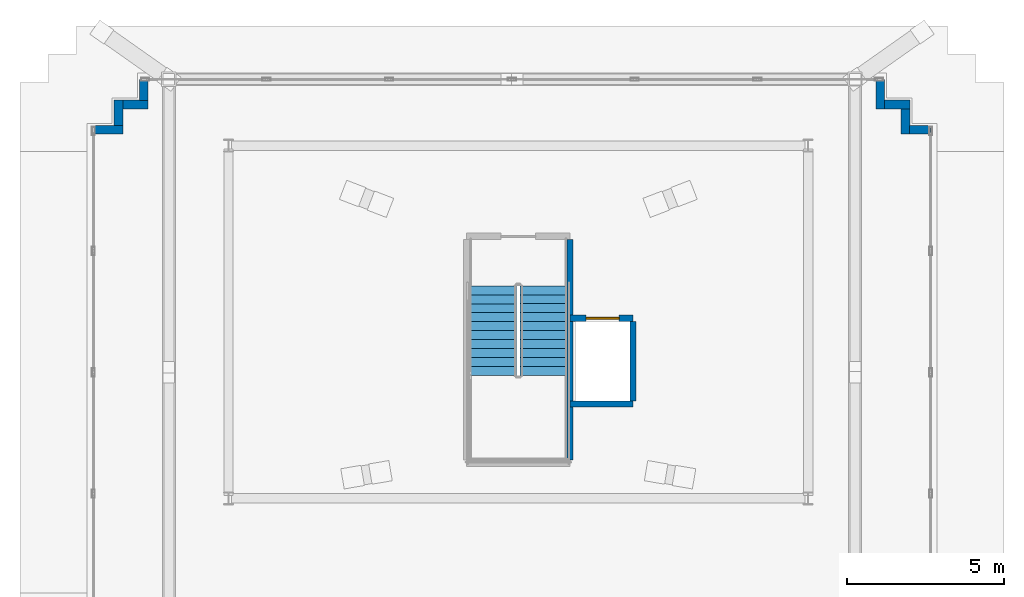
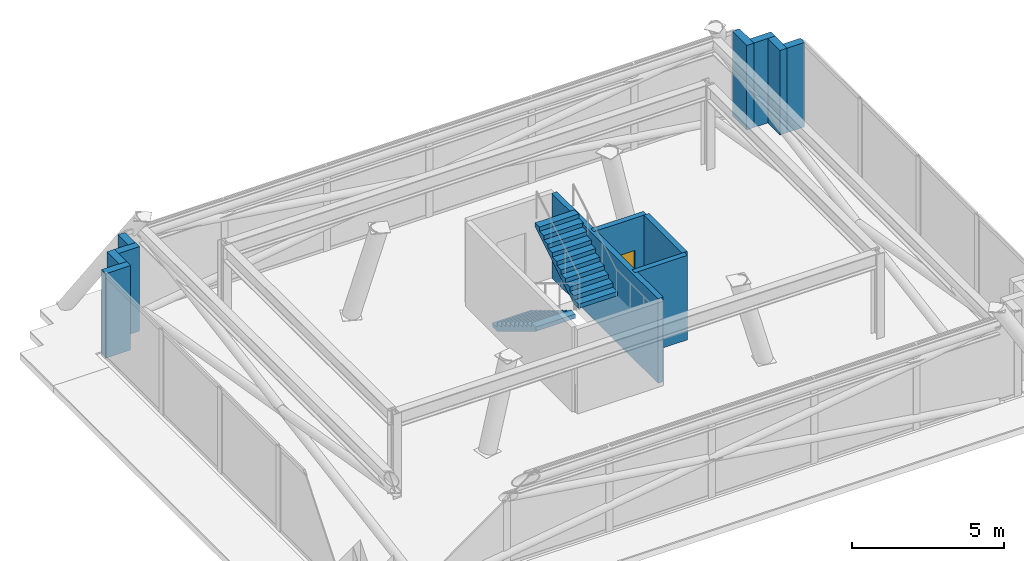
# One storey, part 10 of 13: 12 walls, 2 stair flights, 1 door, 1 opening, 1 element without a shape of its own.
"""IFC4 building model written with IfcOpenShell, lengths in metres."""

from ifc_helpers import new_model, si_unit, direction, frame, frame_2d, origin, place, context, subcontext, project, spatial, polyline, rectangle, outline, extrude, material, layer, layer_set, type_object, element, fill, aggregate, save


model = new_model("IFC4")

# Units and contexts
model_context = context("Model", 3, precision=1e-05, world=origin(), true_north=direction((0.0, 1.0)))
body_context = subcontext(model_context, "Body", "Model", "MODEL_VIEW")
ifc_project = project(units=[si_unit("LENGTHUNIT", "METRE"), si_unit("AREAUNIT", "SQUARE_METRE"), si_unit("VOLUMEUNIT", "CUBIC_METRE"), si_unit("PLANEANGLEUNIT", "RADIAN"), si_unit("MASSUNIT", "GRAM", prefix="KILO")], contexts=[model_context])

# Site, building, storey
site_placement = place(None, origin())
site = spatial("IfcSite", under=ifc_project, at=site_placement, CompositionType="ELEMENT")
building_placement = place(site_placement, origin())
building = spatial("IfcBuilding", under=site, at=building_placement, Name="Qobustan Lattice House", CompositionType="ELEMENT")
storey_placement = place(building_placement, frame((0.0, 0.0, 285.39990234375)))
storey = spatial("IfcBuildingStorey", under=building, at=storey_placement, Name="L80", CompositionType="ELEMENT", Elevation=285.39990234375)

# Walls
ifc_material_1 = material(Name="Precast concrete C40/50", Category="concrete")
ifc_layer_1 = layer(ifc_material_1, 0.280029296875)
ifc_layer_set_1 = layer_set([ifc_layer_1], Name="Precast concrete C40/50")
wall_type_1 = type_object("IfcWallType", Name="WAL-EXT-CROWN-280", PredefinedType="SOLIDWALL", material=ifc_layer_set_1)
wall_1_placement = place(storey_placement, frame((-13.493408203125, 6.1064453125, 0.0), z_axis=(0.0, 0.0, 1.0), x_axis=(1.0, 0.0, 0.0)))
element("IfcWall", 1, at=wall_1_placement, inside=storey, type_object=wall_type_1, Name="L80 crown faceted limestone wall 6", PredefinedType="SOLIDWALL", context=body_context, shape_type="SweptSolid", body=[
    extrude(rectangle(XDim=0.93994140625, YDim=0.280029296875, at=frame_2d((0.469970703125, 0.0))), origin(), (0.0, 0.0, 1.0), 3.400146484375),
])
wall_2_placement = place(storey_placement, frame((-12.693603515625, 6.234619140625, 0.0), z_axis=(0.0, 0.0, 1.0), x_axis=(0.0, 1.0, 0.0)))
element("IfcWall", 2, at=wall_2_placement, inside=storey, type_object=wall_type_1, Name="L80 crown faceted limestone wall 7", PredefinedType="SOLIDWALL", context=body_context, shape_type="SweptSolid", body=[
    extrude(rectangle(XDim=0.811767578125, YDim=0.280029296875, at=frame_2d((0.40576171875, 0.0))), origin(), (0.0, 0.0, 1.0), 3.400146484375),
])
wall_3_placement = place(storey_placement, frame((-12.5654296875, 6.906494140625, 0.0), z_axis=(0.0, 0.0, 1.0), x_axis=(1.0, 0.0, 0.0)))
element("IfcWall", 3, at=wall_3_placement, inside=storey, type_object=wall_type_1, Name="L80 crown faceted limestone wall 8", PredefinedType="SOLIDWALL", context=body_context, shape_type="SweptSolid", body=[
    extrude(rectangle(XDim=0.81201171875, YDim=0.280029296875, at=frame_2d((0.406005859375, 0.0))), origin(), (0.0, 0.0, 1.0), 3.400146484375),
])
wall_4_placement = place(storey_placement, frame((-11.8935546875, 7.034423828125, 0.0), z_axis=(0.0, 0.0, 1.0), x_axis=(0.0, 1.0, 0.0)))
element("IfcWall", 4, at=wall_4_placement, inside=storey, type_object=wall_type_1, Name="L80 crown faceted limestone wall 9", PredefinedType="SOLIDWALL", context=body_context, shape_type="SweptSolid", body=[
    extrude(rectangle(XDim=0.672119140625, YDim=0.280029296875, at=frame_2d((0.3359375, 0.0))), origin(), (0.0, 0.0, 1.0), 3.400146484375),
])
wall_5_placement = place(storey_placement, frame((11.493408203125, 7.70654296875, 0.0), z_axis=(0.0, 0.0, 1.0), x_axis=(0.0, -1.0, 0.0)))
element("IfcWall", 5, at=wall_5_placement, inside=storey, type_object=wall_type_1, Name="L80 crown faceted limestone wall 11", PredefinedType="SOLIDWALL", context=body_context, shape_type="SweptSolid", body=[
    extrude(rectangle(XDim=0.93994140625, YDim=0.280029296875, at=frame_2d((0.469970703125, 0.0))), origin(), (0.0, 0.0, 1.0), 3.400146484375),
])
for number, where, z_axis, x_axis, name in (
    (6, (11.62158203125, 6.906494140625, 0.0), (0.0, 0.0, 1.0), (1.0, 0.0, 0.0), "L80 crown faceted limestone wall 12"),
    (7, (12.29345703125, 6.778564453125, 0.0), (0.0, 0.0, 1.0), (0.0, -1.0, 0.0), "L80 crown faceted limestone wall 13"),
):
    element("IfcWall", number, at=place(storey_placement, frame(where, z_axis=z_axis, x_axis=x_axis)), inside=storey, type_object=wall_type_1, Name=name, PredefinedType="SOLIDWALL", context=body_context, shape_type="SweptSolid", body=[
        extrude(rectangle(XDim=0.81201171875, YDim=0.280029296875, at=frame_2d((0.406005859375, 0.0))), origin(), (0.0, 0.0, 1.0), 3.400146484375),
    ])
wall_6_placement = place(storey_placement, frame((12.42138671875, 6.1064453125, 0.0), z_axis=(0.0, 0.0, 1.0), x_axis=(1.0, 0.0, 0.0)))
element("IfcWall", 8, at=wall_6_placement, inside=storey, type_object=wall_type_1, Name="L80 crown faceted limestone wall 14", PredefinedType="SOLIDWALL", context=body_context, shape_type="SweptSolid", body=[
    extrude(rectangle(XDim=0.672119140625, YDim=0.280029296875, at=frame_2d((0.3359375, 0.0))), origin(), (0.0, 0.0, 1.0), 3.400146484375),
])
ifc_material_2 = material(Name="Concrete C40/50", Category="concrete")
ifc_layer_2 = layer(ifc_material_2, 0.199951171875)
ifc_layer_set_2 = layer_set([ifc_layer_2], Name="Concrete C40/50")
wall_type_2 = type_object("IfcWallType", Name="WAL-SHAFT-LB-200", PredefinedType="SHEAR", material=ifc_layer_set_2)
wall_7_placement = place(storey_placement, frame((1.639892578125, -4.3798828125, 0.0), z_axis=(0.0, 0.0, 1.0), x_axis=(0.0, 1.0, 0.0)))
element("IfcWall", 9, at=wall_7_placement, inside=storey, type_object=wall_type_2, Name="L80 crown stair ST-C1 RC shaft wall STC-E", PredefinedType="SHEAR", context=body_context, shape_type="SweptSolid", body=[
    extrude(rectangle(XDim=7.0, YDim=0.199951171875, at=frame_2d((3.5, 0.0))), origin(), (0.0, 0.0, 1.0), 3.400146484375),
])

# Wall, opening, door
wall_8_placement = place(storey_placement, frame((1.639892578125, 0.1201171875, 0.0), z_axis=(0.0, 0.0, 1.0), x_axis=(1.0, 0.0, 0.0)))
wall_8 = element("IfcWall", 10, at=wall_8_placement, inside=storey, type_object=wall_type_2, Name="L80 crown firefighting lift RC shaft wall FFC-N", PredefinedType="SHEAR", context=body_context, shape_type="SweptSolid", body=[
    extrude(rectangle(XDim=2.0, YDim=0.199951171875, at=frame_2d((1.0, 0.0))), origin(), (0.0, 0.0, 1.0), 3.400146484375),
])
opening_placement = place(wall_8_placement, frame((0.514892578125, 0.0, 0.0)))
opening = element("IfcOpeningElement", 11, at=opening_placement, cuts=wall_8, Name="Opening LD-01", PredefinedType="OPENING", context=body_context, shape_type="SweptSolid", body=[
    extrude(rectangle(XDim=1.050048828125, YDim=2.10009765625, at=frame_2d((0.52490234375, 1.050048828125))), frame((0.0, 0.10986328125, 0.0), z_axis=(0.0, -1.0, 0.0), x_axis=(1.0, 0.0, 0.0)), (0.0, 0.0, 1.0), 0.219970703125),
])
ifc_material_3 = material(Name="Persian walnut timber and steel frame door", Category="steel")
door_type = type_object("IfcDoorType", Name="DOR-LIFT-LD-1050x2100", OperationType="NOTDEFINED", PredefinedType="DOOR", material=ifc_material_3)
door_placement = place(opening_placement, origin())
door = element("IfcDoor", 12, at=door_placement, inside=storey, type_object=door_type, Name="L80 crown firefighting lift FF-C landing door", OperationType="DOUBLE_DOOR_SLIDING", OverallHeight=2.10009765625, OverallWidth=1.050048828125, PredefinedType="DOOR", context=body_context, shape_type="SweptSolid", body=[
    extrude(rectangle(XDim=1.050048828125, YDim=2.10009765625, at=frame_2d((0.52490234375, 1.050048828125))), frame((0.0, 0.02490234375, 0.0), z_axis=(0.0, -1.0, 0.0), x_axis=(1.0, 0.0, 0.0)), (0.0, 0.0, 1.0), 0.050048828125),
])
fill(opening, door)

# Walls
wall_9_placement = place(storey_placement, frame((1.639892578125, -2.60009765625, 0.0), z_axis=(0.0, 0.0, 1.0), x_axis=(1.0, 0.0, 0.0)))
element("IfcWall", 13, at=wall_9_placement, inside=storey, type_object=wall_type_2, Name="L80 crown firefighting lift RC shaft wall FFC-S", PredefinedType="SHEAR", context=body_context, shape_type="SweptSolid", body=[
    extrude(rectangle(XDim=2.0, YDim=0.199951171875, at=frame_2d((1.0, 0.0))), origin(), (0.0, 0.0, 1.0), 3.400146484375),
])
wall_10_placement = place(storey_placement, frame((3.639892578125, -2.5, 0.0), z_axis=(0.0, 0.0, 1.0), x_axis=(0.0, 1.0, 0.0)))
element("IfcWall", 14, at=wall_10_placement, inside=storey, type_object=wall_type_2, Name="L80 crown firefighting lift RC shaft wall FFC-E", PredefinedType="SHEAR", context=body_context, shape_type="SweptSolid", body=[
    extrude(rectangle(XDim=2.52001953125, YDim=0.199951171875, at=frame_2d((1.260009765625, 0.0))), origin(), (0.0, 0.0, 1.0), 3.400146484375),
])

# Stair, stair flights
ifc_material_4 = material(Name="Concrete C40/50", Category="concrete")
stair_type = type_object("IfcStairType", Name="STR-CORE-DOGLEG", PredefinedType="HALF_TURN_STAIR", material=ifc_material_4)
stair_placement = place(storey_placement, origin())
stair = element("IfcStair", 15, at=stair_placement, inside=storey, type_object=stair_type, Name="L80 Crown access stair ST-C1", PredefinedType="HALF_TURN_STAIR")
ifc_material_5 = material(Name="Concrete C40/50", Category="concrete")
stair_flight_type = type_object("IfcStairFlightType", Name="SFL-RC-1500", PredefinedType="STRAIGHT", material=ifc_material_5)
stair_flight_1_placement = place(storey_placement, frame((-0.81005859375, 1.14990234375, 0.0), z_axis=(0.0, 0.0, 1.0), x_axis=(0.0, -1.0, 0.0)))
stair_flight_1 = element("IfcStairFlight", 16, at=stair_flight_1_placement, type_object=stair_flight_type, Name="ST-C1 flight 1", NumberOfRisers=11, NumberOfTreads=10, PredefinedType="STRAIGHT", RiserHeight=0.172727273, TreadLength=0.285, context=body_context, shape_type="SweptSolid", body=[
    extrude(outline(polyline([(0.0, 0.0), (0.0, 0.172607421875), (0.284912109375, 0.172607421875), (0.284912109375, 0.345458984375), (0.570068359375, 0.345458984375), (0.570068359375, 0.51806640625), (0.85498046875, 0.51806640625), (0.85498046875, 0.69091796875), (1.139892578125, 0.69091796875), (1.139892578125, 0.863525390625), (1.425048828125, 0.863525390625), (1.425048828125, 1.036376953125), (1.7099609375, 1.036376953125), (1.7099609375, 1.208984375), (1.9951171875, 1.208984375), (1.9951171875, 1.3818359375), (2.280029296875, 1.3818359375), (2.280029296875, 1.554443359375), (2.56494140625, 1.554443359375), (2.56494140625, 1.727294921875), (2.85009765625, 1.727294921875), (2.85009765625, 1.89990234375), (2.85009765625, 1.552001953125), (0.289306640625, 0.0), (0.0, 0.0)])), frame((0.0, 0.75, 0.0), z_axis=(0.0, -1.0, 0.0), x_axis=(1.0, 0.0, 0.0)), (0.0, 0.0, 1.0), 1.5),
])
stair_flight_2_placement = place(storey_placement, frame((0.81005859375, -1.699951171875, 1.900146484375), z_axis=(0.0, 0.0, 1.0), x_axis=(0.0, 1.0, 0.0)))
stair_flight_2 = element("IfcStairFlight", 17, at=stair_flight_2_placement, type_object=stair_flight_type, Name="ST-C1 flight 2", NumberOfRisers=11, NumberOfTreads=10, PredefinedType="STRAIGHT", RiserHeight=0.172727273, TreadLength=0.285, context=body_context, shape_type="SweptSolid", body=[
    extrude(outline(polyline([(0.0, 0.0), (0.0, 0.172607421875), (0.284912109375, 0.172607421875), (0.284912109375, 0.345458984375), (0.570068359375, 0.345458984375), (0.570068359375, 0.51806640625), (0.85498046875, 0.51806640625), (0.85498046875, 0.69091796875), (1.139892578125, 0.69091796875), (1.139892578125, 0.863525390625), (1.425048828125, 0.863525390625), (1.425048828125, 1.036376953125), (1.7099609375, 1.036376953125), (1.7099609375, 1.208984375), (1.9951171875, 1.208984375), (1.9951171875, 1.3818359375), (2.280029296875, 1.3818359375), (2.280029296875, 1.554443359375), (2.56494140625, 1.554443359375), (2.56494140625, 1.727294921875), (2.85009765625, 1.727294921875), (2.85009765625, 1.89990234375), (2.85009765625, 1.552001953125), (0.289306640625, 0.0), (0.0, 0.0)])), frame((0.0, 0.75, 0.0), z_axis=(0.0, -1.0, 0.0), x_axis=(1.0, 0.0, 0.0)), (0.0, 0.0, 1.0), 1.5),
])
aggregate(stair, [stair_flight_1, stair_flight_2])

save(model, "model.ifc")
